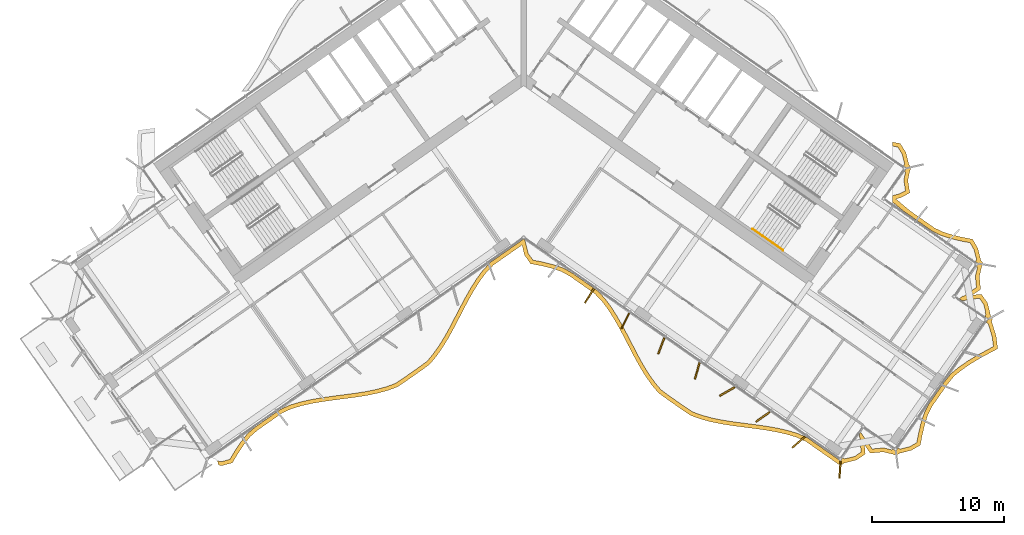
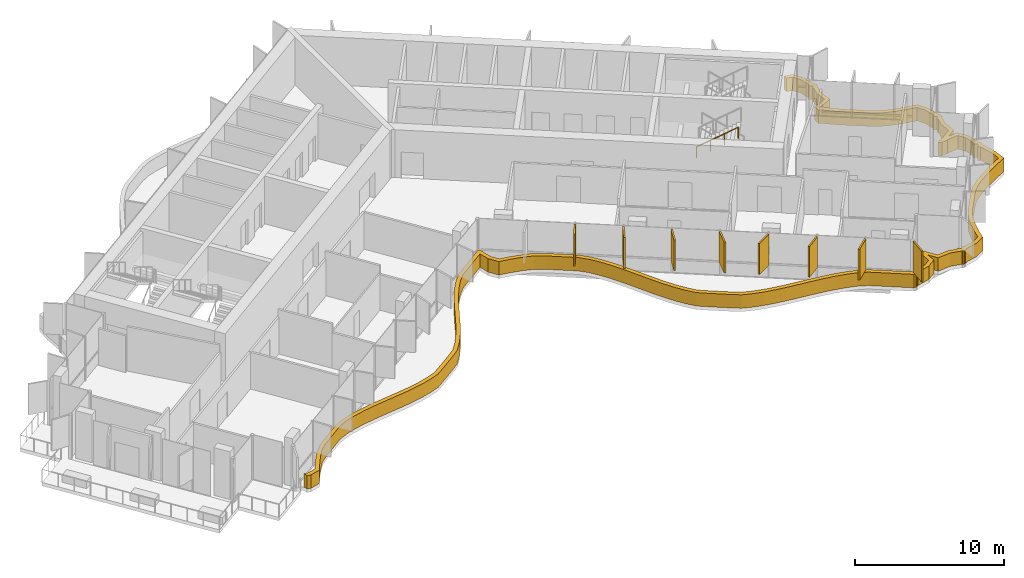
# One storey, part 19 of 22: 9 shading devices, 1 railing.
"""IFC4 building model written with IfcOpenShell, lengths in metres."""

from ifc_helpers import new_model, si_unit, direction, frame, origin, origin_2d, place, context, subcontext, project, spatial, polyline, rectangle, circle, outline, extrude, material, layer, layer_set, type_object, element, save


model = new_model("IFC4")

# Units and contexts
model_context = context("Model", 3, precision=1e-05, world=origin(), true_north=direction((0.0, 1.0)))
body_context = subcontext(model_context, "Body", "Model", "MODEL_VIEW")
ifc_project = project(units=[si_unit("LENGTHUNIT", "METRE"), si_unit("AREAUNIT", "SQUARE_METRE"), si_unit("VOLUMEUNIT", "CUBIC_METRE"), si_unit("PLANEANGLEUNIT", "RADIAN"), si_unit("MASSUNIT", "GRAM", prefix="KILO")], contexts=[model_context])

# Site, building, storey
site_placement = place(None, origin())
site = spatial("IfcSite", under=ifc_project, at=site_placement, CompositionType="ELEMENT")
building_placement = place(site_placement, origin())
building = spatial("IfcBuilding", under=site, at=building_placement, Name="Tel Ilan Convention Tower", CompositionType="ELEMENT")
storey_placement = place(building_placement, frame((0.0, 0.0, 202.199951171875)))
storey = spatial("IfcBuildingStorey", under=building, at=storey_placement, Name="L47", CompositionType="ELEMENT", Elevation=202.199951171875)

# Shading devices
ifc_material_1 = material(Name="Aluminium, bronze anodised", Category="aluminium")
ifc_layer_1 = layer(ifc_material_1, 0.1201171875)
ifc_layer_set_1 = layer_set([ifc_layer_1], Name="FIN BRONZE 1300x120")
shading_device_type_1 = type_object("IfcShadingDeviceType", Name="FIN BRONZE 1300x120", PredefinedType="USERDEFINED", material=ifc_layer_set_1)
for number, where, z_axis, x_axis, name in (
    (1, (4.97607421875, -17.097900390625, 1.10009765625), (0.0, 0.0, 1.0), (-0.533204432798, -0.845986425922, 0.0), "FIN"),
    (2, (7.689697265625, -18.99755859375, 1.10009765625), (0.0, 0.0, 1.0), (-0.448799180206, -0.893632640321, 0.0), "FIN"),
    (3, (10.406005859375, -20.891845703125, 1.10009765625), (0.0, 0.0, 1.0), (-0.360177724803, -0.932883704733, 0.0), "FIN"),
    (4, (13.124755859375, -22.7802734375, 1.10009765625), (0.0, 0.0, 1.0), (-0.268172612768, -0.963370878614, 0.0), "FIN"),
    (5, (15.39501953125, -24.347412109375, 1.10009765625), (0.0, 0.0, 1.0), (-0.866025403784, -0.5, 0.0), "FIN"),
    (6, (18.09423828125, -26.260009765625, 1.10009765625), (0.0, 0.0, 1.0), (-0.813552070258, -0.581492071294, 0.0), "FIN"),
    (7, (20.798583984375, -28.168701171875, 1.10009765625), (0.0, 0.0, 1.0), (-0.753435896329, -0.657521368568, 0.0), "FIN"),
    (8, (23.916748046875, -30.256103515625, 1.10009765625), (0.0, 0.0, 1.0), (-0.067821812994, -0.997697449973, 0.0), "FIN"),
):
    element("IfcShadingDevice", number, at=place(storey_placement, frame(where, z_axis=z_axis, x_axis=x_axis)), inside=storey, type_object=shading_device_type_1, Name=name, ObjectType="FIN", PredefinedType="USERDEFINED", context=body_context, shape_type="SweptSolid", body=[
        extrude(rectangle(XDim=1.300048828125, YDim=0.1201171875, at=origin_2d()), origin(), (0.0, 0.0, 1.0), 2.52001953125),
    ])
ifc_material_2 = material(Name="Aluminium, bronze anodised", Category="aluminium")
ifc_layer_2 = layer(ifc_material_2, 0.300048828125)
ifc_layer_set_2 = layer_set([ifc_layer_2], Name="LOUVRE BAND 300x1100")
shading_device_type_2 = type_object("IfcShadingDeviceType", Name="LOUVRE BAND 300x1100", PredefinedType="USERDEFINED", material=ifc_layer_set_2)
shading_device_placement = place(storey_placement, origin())
element("IfcShadingDevice", 9, at=shading_device_placement, inside=storey, type_object=shading_device_type_2, Name="LOUVRE BAND 37.01", ObjectType="LOUVRE", PredefinedType="USERDEFINED", context=body_context, shape_type="SweptSolid", body=[
    extrude(outline(polyline([(-23.16455078125, -29.60400390625), (-23.12646484375, -29.679931640625), (-23.095947265625, -29.773193359375), (-23.08544921875, -29.9140625), (-22.79736328125, -29.94482421875), (-22.0234375, -29.742431640625), (-21.604248046875, -29.03369140625), (-21.15576171875, -28.366455078125), (-20.6708984375, -27.75146484375), (-20.100341796875, -27.2587890625), (-18.257568359375, -25.968505859375), (-17.560791015625, -25.65576171875), (-16.80419921875, -25.428955078125), (-16.01318359375, -25.2509765625), (-15.196044921875, -25.1103515625), (-14.362060546875, -24.994140625), (-12.68359375, -24.7763671875), (-11.859619140625, -24.645751953125), (-11.058837890625, -24.481689453125), (-10.2900390625, -24.272216796875), (-9.559814453125, -24.007568359375), (-8.935546875, -23.591796875), (-7.706787109375, -22.7314453125), (-7.102294921875, -22.287353515625), (-6.603515625, -21.692138671875), (-6.143798828125, -21.041259765625), (-5.7158203125, -20.344970703125), (-5.31103515625, -19.61572265625), (-4.5322265625, -18.11279296875), (-4.1376953125, -17.36865234375), (-3.726318359375, -16.64892578125), (-3.28857421875, -15.96630859375), (-2.81689453125, -15.332763671875), (-2.28515625, -14.784423828125), (-0.12109375, -13.269287109375), (0.067626953125, -14.029296875), (0.522216796875, -14.687255859375), (1.33154296875, -14.8388671875), (2.112060546875, -15.03173828125), (2.855712890625, -15.277099609375), (3.513916015625, -15.644775390625), (5.356689453125, -16.935302734375), (5.888671875, -17.48291015625), (6.36083984375, -18.1162109375), (6.798583984375, -18.798583984375), (7.2099609375, -19.5185546875), (7.6044921875, -20.262451171875), (8.38330078125, -21.765380859375), (8.7880859375, -22.494873046875), (9.2158203125, -23.191162109375), (9.675537109375, -23.84228515625), (10.174072265625, -24.437744140625), (10.778564453125, -24.882080078125), (12.007080078125, -25.742431640625), (12.631103515625, -26.15869140625), (13.361083984375, -26.423828125), (14.1298828125, -26.63330078125), (14.930419921875, -26.79736328125), (15.75439453125, -26.92822265625), (17.432861328125, -27.14599609375), (18.26708984375, -27.26220703125), (19.084228515625, -27.402587890625), (19.875244140625, -27.580322265625), (20.632080078125, -27.80712890625), (21.3291015625, -28.119140625), (23.786376953125, -29.83984375), (23.78955078125, -29.8349609375), (23.843505859375, -29.87109375), (23.95849609375, -29.89404296875), (24.0732421875, -29.87109375), (24.170654296875, -29.80615234375), (24.199462890625, -29.7626953125), (25.16943359375, -29.5263671875), (25.82763671875, -29.071533203125), (25.7626953125, -28.370849609375), (26.201416015625, -29.005615234375), (27.1806640625, -28.9150390625), (27.964599609375, -29.10302734375), (27.9677734375, -29.098388671875), (28.021728515625, -29.134521484375), (28.13671875, -29.1572265625), (28.25146484375, -29.134521484375), (28.3486328125, -29.0693359375), (28.377685546875, -29.026123046875), (29.301025390625, -28.79638671875), (29.989990234375, -28.40283203125), (30.135498046875, -27.628662109375), (30.3134765625, -26.877197265625), (30.537841796875, -26.158203125), (30.85205078125, -25.502197265625), (32.0869140625, -23.738525390625), (32.546142578125, -23.18408203125), (33.1279296875, -22.71533203125), (33.759033203125, -22.28125), (34.43017578125, -21.875), (35.13037109375, -21.489013671875), (35.840576171875, -21.1103515625), (35.717041015625, -20.147705078125), (35.375244140625, -19.032470703125), (35.411376953125, -18.978515625), (35.434326171875, -18.863525390625), (35.411376953125, -18.748779296875), (35.346435546875, -18.6513671875), (35.302978515625, -18.62255859375), (35.066650390625, -17.652587890625), (34.61181640625, -16.994384765625), (33.9111328125, -17.059326171875), (34.5458984375, -16.62060546875), (34.455322265625, -15.641357421875), (34.643310546875, -14.857421875), (34.638671875, -14.854248046875), (34.674560546875, -14.80029296875), (34.697509765625, -14.685546875), (34.674560546875, -14.570556640625), (34.609619140625, -14.473388671875), (34.56640625, -14.4443359375), (34.3369140625, -13.5224609375), (33.945068359375, -12.832763671875), (33.172119140625, -12.68701171875), (32.421630859375, -12.509521484375), (31.703369140625, -12.285888671875), (31.047119140625, -11.973388671875), (29.2861328125, -10.740234375), (28.730712890625, -10.28369140625), (28.18212890625, -9.817626953125), (28.123291015625, -9.789794921875), (28.491455078125, -9.6953125), (29.19384765625, -9.332763671875), (29.044921875, -8.373779296875), (29.20458984375, -7.631103515625), (29.199951171875, -7.6279296875), (29.236083984375, -7.57373046875), (29.2587890625, -7.458984375), (29.236083984375, -7.34423828125), (29.1708984375, -7.246826171875), (29.127685546875, -7.218017578125), (28.894287109375, -6.267333984375), (28.465576171875, -5.595458984375), (27.874755859375, -5.485595703125), (27.874755859375, -5.790771484375), (28.28271484375, -5.86669921875), (28.614990234375, -6.387451171875), (28.806640625, -7.1533203125), (28.713134765625, -7.286865234375), (28.958740234375, -7.458984375), (28.787353515625, -7.705322265625), (28.869384765625, -7.7626953125), (28.73974609375, -8.364990234375), (28.8642578125, -9.165283203125), (28.3837890625, -9.413330078125), (27.874755859375, -9.5439453125), (27.874755859375, -10.048583984375), (27.996337890625, -10.10595703125), (28.678955078125, -10.68115234375), (29.03515625, -10.9306640625), (29.0390625, -10.92529296875), (29.1044921875, -10.979248046875), (30.895751953125, -12.2333984375), (31.593505859375, -12.56591796875), (32.34228515625, -12.799072265625), (33.10986328125, -12.980712890625), (33.7529296875, -13.101806640625), (34.05615234375, -13.635498046875), (34.244873046875, -14.380126953125), (34.15185546875, -14.513427734375), (34.3974609375, -14.685546875), (34.22607421875, -14.931640625), (34.303955078125, -14.986083984375), (34.15185546875, -15.61962890625), (34.23095703125, -16.473388671875), (33.23095703125, -17.164794921875), (33.196044921875, -17.140380859375), (32.932861328125, -17.322265625), (33.146240234375, -17.4716796875), (33.608154296875, -17.428955078125), (33.5576171875, -17.393310546875), (34.46484375, -17.309326171875), (34.788818359375, -17.77783203125), (34.93212890625, -18.35595703125), (34.88232421875, -18.321044921875), (34.93896484375, -18.549560546875), (34.855712890625, -18.668701171875), (35.13427734375, -18.863525390625), (34.962158203125, -19.109375), (35.123046875, -19.221923828125), (35.422607421875, -20.210693359375), (35.5166015625, -20.943115234375), (34.280029296875, -21.615234375), (33.59619140625, -22.029052734375), (32.94873046875, -22.474609375), (32.33447265625, -22.96923828125), (31.84814453125, -23.556640625), (30.59228515625, -25.350341796875), (30.258056640625, -26.04833984375), (30.024169921875, -26.7978515625), (29.842041015625, -27.56640625), (29.720703125, -28.211181640625), (29.187744140625, -28.515625), (28.44189453125, -28.704833984375), (28.30859375, -28.611572265625), (28.13671875, -28.857177734375), (27.890380859375, -28.685791015625), (27.8359375, -28.763671875), (27.202392578125, -28.61181640625), (26.3486328125, -28.690673828125), (25.475341796875, -27.427490234375), (25.385986328125, -27.555419921875), (25.5126953125, -28.924560546875), (25.044189453125, -29.24853515625), (24.264404296875, -29.44189453125), (24.13037109375, -29.34814453125), (23.95849609375, -29.593994140625), (21.477783203125, -27.85693359375), (20.73681640625, -27.525390625), (19.951416015625, -27.2900390625), (19.142578125, -27.108154296875), (18.313232421875, -26.9658203125), (17.472412109375, -26.8486328125), (15.797607421875, -26.63134765625), (14.984130859375, -26.502197265625), (14.199462890625, -26.34130859375), (13.451904296875, -26.137451171875), (12.767578125, -25.88916015625), (12.176513671875, -25.494873046875), (10.953369140625, -24.638427734375), (10.380859375, -24.217529296875), (9.91357421875, -23.6591796875), (9.466552734375, -23.02587890625), (9.047119140625, -22.343505859375), (8.6474609375, -21.623291015625), (7.870361328125, -20.123779296875), (7.472900390625, -19.373779296875), (7.05517578125, -18.64306640625), (6.607666015625, -17.945556640625), (6.11767578125, -17.2880859375), (5.55224609375, -16.705810546875), (3.67333984375, -15.390380859375), (2.97705078125, -15.001220703125), (2.195068359375, -14.743408203125), (1.395263671875, -14.54541015625), (0.69873046875, -14.4150390625), (0.345458984375, -13.90380859375), (0.092041015625, -12.882568359375), (0.0, -12.818115234375), (-2.480712890625, -14.55517578125), (-3.045654296875, -15.137939453125), (-3.53564453125, -15.795654296875), (-3.98291015625, -16.493408203125), (-4.400634765625, -17.22412109375), (-4.798095703125, -17.973876953125), (-5.5751953125, -19.473388671875), (-5.974853515625, -20.193603515625), (-6.394287109375, -20.8759765625), (-6.841552734375, -21.5087890625), (-7.30908203125, -22.067138671875), (-7.881591796875, -22.487548828125), (-9.104736328125, -23.343994140625), (-9.696044921875, -23.73779296875), (-10.380615234375, -23.986083984375), (-11.12841796875, -24.189697265625), (-11.913330078125, -24.350341796875), (-12.726806640625, -24.4794921875), (-14.401611328125, -24.69677734375), (-15.2421875, -24.81396484375), (-16.07177734375, -24.95654296875), (-16.88037109375, -25.138427734375), (-17.665771484375, -25.3740234375), (-18.40625, -25.706298828125), (-20.284912109375, -27.021728515625), (-20.888671875, -27.543212890625), (-21.3984375, -28.189697265625), (-21.85791015625, -28.87353515625), (-22.21875, -29.4833984375), (-22.820068359375, -29.640625), (-23.16455078125, -29.60400390625)])), origin(), (0.0, 0.0, 1.0), 1.10009765625),
])

# Railing
ifc_material_3 = material(Name="Stainless Steel Grade 316", Category="steel")
railing_type = type_object("IfcRailingType", Name="Stainless Steel Stair Handrail 900 mm", PredefinedType="HANDRAIL", material=ifc_material_3)
railing_placement = place(storey_placement, frame((17.312744140625, -12.0615234375, 2.12744140625)))
element("IfcRailing", 10, at=railing_placement, inside=storey, type_object=railing_type, Name="L47 S4 stair handrail 2", PredefinedType="HANDRAIL", context=body_context, shape_type="SweptSolid", body=[
    extrude(circle(Radius=0.02392578125, at=origin_2d()), frame((0.0, 0.0, 0.8759765625), z_axis=(0.692123088272, -0.484596665743, 0.534912798717), x_axis=(0.573550118428, 0.819170471667, 0.0)), (0.0, 0.0, 1.0), 3.31396484375),
    extrude(circle(Radius=0.02099609375, at=origin_2d()), origin(), (0.0, 0.0, 1.0), 0.851806640625),
    extrude(circle(Radius=0.02099609375, at=origin_2d()), frame((0.7646484375, -0.535400390625, 0.5908203125)), (0.0, 0.0, 1.0), 0.851806640625),
    extrude(circle(Radius=0.02099609375, at=origin_2d()), frame((1.529052734375, -1.070556640625, 1.181884765625)), (0.0, 0.0, 1.0), 0.851806640625),
    extrude(circle(Radius=0.02099609375, at=origin_2d()), frame((2.293701171875, -1.60595703125, 1.772705078125)), (0.0, 0.0, 1.0), 0.851806640625),
])

save(model, "model.ifc")
